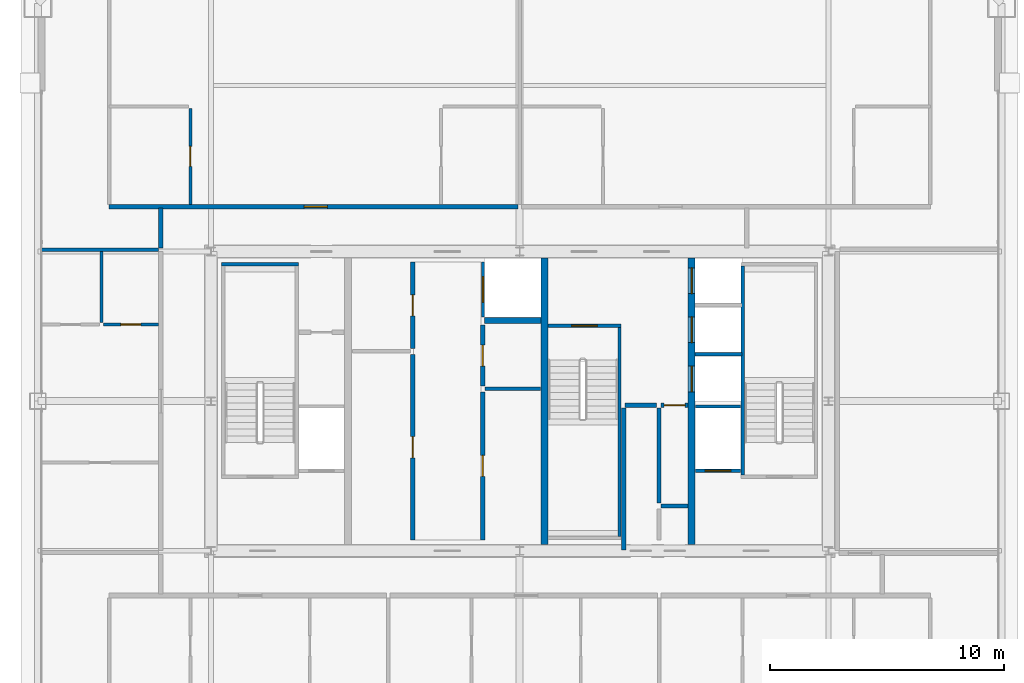
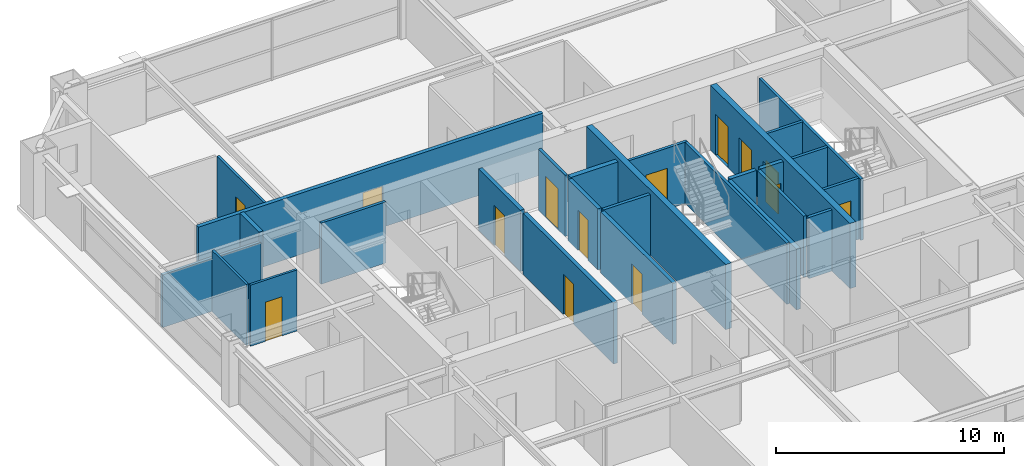
# One storey, part 34 of 37: 27 walls, 14 doors, 14 openings.
"""IFC4 building model written with IfcOpenShell, lengths in metres."""

from ifc_helpers import new_model, si_unit, direction, frame, frame_2d, origin, place, context, subcontext, project, spatial, rectangle, extrude, source, transform, mapped, material, layer, layer_set, type_object, element, fill, save


model = new_model("IFC4")

# Units and contexts
model_context = context("Model", 3, precision=1e-05, world=origin(), true_north=direction((0.0, 1.0)))
body_context = subcontext(model_context, "Body", "Model", "MODEL_VIEW")
ifc_project = project(units=[si_unit("LENGTHUNIT", "METRE"), si_unit("AREAUNIT", "SQUARE_METRE"), si_unit("VOLUMEUNIT", "CUBIC_METRE"), si_unit("PLANEANGLEUNIT", "RADIAN"), si_unit("MASSUNIT", "GRAM", prefix="KILO"), si_unit("THERMODYNAMICTEMPERATUREUNIT", "KELVIN"), si_unit("POWERUNIT", "WATT")], contexts=[model_context])

# Site, building, storey
site_placement = place(None, origin())
site = spatial("IfcSite", under=ifc_project, at=site_placement, CompositionType="ELEMENT")
building_placement = place(site_placement, origin())
building = spatial("IfcBuilding", under=site, at=building_placement, Name="Yuzanri Waterfront Tower", CompositionType="ELEMENT")
storey_placement = place(building_placement, frame((0.0, 0.0, 268.10009765625)))
storey = spatial("IfcBuildingStorey", under=building, at=storey_placement, Name="L71", CompositionType="ELEMENT", Elevation=268.10009765625)

# Wall, opening, door
ifc_material_1 = material(Name="Moisture-Resistant Gypsum Stud Wall", Category="gypsum")
ifc_layer_1 = layer(ifc_material_1, 0.1201171875)
ifc_layer_set_1 = layer_set([ifc_layer_1], Name="Moisture-Resistant Gypsum Stud Wall")
wall_type_1 = type_object("IfcWallType", Name="Bathroom and Kitchen Wet Partition 120", PredefinedType="PARTITIONING", material=ifc_layer_set_1)
wall_1_placement = place(storey_placement, frame((22.919921875, 34.2099609375, 0.0), z_axis=(0.0, 0.0, 1.0), x_axis=(0.0, 1.0, 0.0)))
wall_1 = element("IfcWall", 1, at=wall_1_placement, inside=storey, type_object=wall_type_1, Name="L71 Partition UW-L71-HN1-SUB-1-E", PredefinedType="PARTITIONING", context=body_context, shape_type="SweptSolid", body=[
    extrude(rectangle(XDim=4.110107421875, YDim=0.1201171875, at=frame_2d((2.05517578125, 0.0))), origin(), (0.0, 0.0, 1.0), 3.27978515625),
])
opening_1_placement = place(wall_1_placement, frame((1.6298828125, 0.0, 0.0)))
opening_1 = element("IfcOpeningElement", 2, at=opening_1_placement, cuts=wall_1, Name="Opening ID-0850", PredefinedType="OPENING", context=body_context, shape_type="SweptSolid", body=[
    extrude(rectangle(XDim=0.85009765625, YDim=2.10009765625, at=frame_2d((0.425048828125, 1.050048828125))), frame((0.0, 0.074951171875, 0.0), z_axis=(0.0, -1.0, 0.0), x_axis=(1.0, 0.0, 0.0)), (0.0, 0.0, 1.0), 0.14990234375),
])
ifc_material_2 = material(Name="Moisture-Resistant Lacquered Timber", Category="wood")
door_type_1 = type_object("IfcDoorType", Name="En-Suite Bathroom and Kitchen Swing Door 850x2100", OperationType="NOTDEFINED", PredefinedType="DOOR", material=ifc_material_2)
shared_shape_1 = source(origin(), body_context, "Body", "SweptSolid", [
    extrude(rectangle(XDim=0.85009765625, YDim=2.10009765625, at=frame_2d((0.425048828125, 1.050048828125))), frame((0.0, 0.02490234375, 0.0), z_axis=(0.0, -1.0, 0.0), x_axis=(1.0, 0.0, 0.0)), (0.0, 0.0, 1.0), 0.050048828125),
])
door_1_placement = place(opening_1_placement, origin())
door_1 = element("IfcDoor", 3, at=door_1_placement, inside=storey, type_object=door_type_1, Name="L71 Suite Interior Room Door", OperationType="SINGLE_SWING_LEFT", OverallHeight=2.10009765625, OverallWidth=0.85009765625, PredefinedType="DOOR", context=body_context, shape_type="MappedRepresentation", body=[
    mapped(shared_shape_1, transform((0.0, 0.0, 0.0), scale=1.0)),
])
fill(opening_1, door_1)

wall_2_placement = place(storey_placement, frame((19.195068359375, 29.080078125, 0.0), z_axis=(0.0, 0.0, 1.0), x_axis=(1.0, 0.0, 0.0)))
wall_2 = element("IfcWall", 4, at=wall_2_placement, inside=storey, type_object=wall_type_1, Name="L71 Partition UW-L71-HW1-SUB-2-S", PredefinedType="PARTITIONING", context=body_context, shape_type="SweptSolid", body=[
    extrude(rectangle(XDim=2.35498046875, YDim=0.1201171875, at=frame_2d((1.177490234375, 0.0))), origin(), (0.0, 0.0, 1.0), 3.27978515625),
])
opening_2_placement = place(wall_2_placement, frame((0.75244140625, 0.0, 0.0)))
opening_2 = element("IfcOpeningElement", 5, at=opening_2_placement, cuts=wall_2, Name="Opening ID-0850", PredefinedType="OPENING", context=body_context, shape_type="SweptSolid", body=[
    extrude(rectangle(XDim=0.85009765625, YDim=2.10009765625, at=frame_2d((0.425048828125, 1.050048828125))), frame((0.0, 0.074951171875, 0.0), z_axis=(0.0, -1.0, 0.0), x_axis=(1.0, 0.0, 0.0)), (0.0, 0.0, 1.0), 0.14990234375),
])
door_2_placement = place(opening_2_placement, origin())
door_2 = element("IfcDoor", 6, at=door_2_placement, inside=storey, type_object=door_type_1, Name="L71 Suite Interior Room Door", OperationType="SINGLE_SWING_RIGHT", OverallHeight=2.10009765625, OverallWidth=0.85009765625, PredefinedType="DOOR", context=body_context, shape_type="MappedRepresentation", body=[
    mapped(shared_shape_1, transform((0.0, 0.0, 0.0), scale=1.0)),
])
fill(opening_2, door_2)

# Wall, openings, doors
ifc_material_3 = material(Name="Concrete C50", Category="concrete")
ifc_layer_2 = layer(ifc_material_3, 0.300048828125)
ifc_layer_set_2 = layer_set([ifc_layer_2], Name="Concrete C50")
wall_type_2 = type_object("IfcWallType", Name="Concrete C50 Internal Core Shaft Structural Wall 300", PredefinedType="SOLIDWALL", material=ifc_layer_set_2)
wall_3_placement = place(storey_placement, frame((44.35009765625, 19.675048828125, 0.0), z_axis=(0.0, 0.0, 1.0), x_axis=(0.0, 1.0, 0.0)))
wall_3 = element("IfcWall", 7, at=wall_3_placement, inside=storey, type_object=wall_type_2, Name="L71 Core Internal Structural Web Wall 3", PredefinedType="SOLIDWALL", context=body_context, shape_type="SweptSolid", body=[
    extrude(rectangle(XDim=12.25, YDim=0.300048828125, at=frame_2d((6.125, 0.0))), origin(), (0.0, 0.0, 1.0), 3.5),
])
opening_3_placement = place(wall_3_placement, frame((6.52490234375, 0.0, 0.0)))
opening_3 = element("IfcOpeningElement", 8, at=opening_3_placement, cuts=wall_3, Name="Opening LD-PL-09", PredefinedType="OPENING", context=body_context, shape_type="SweptSolid", body=[
    extrude(rectangle(XDim=1.10009765625, YDim=2.199951171875, at=frame_2d((0.550048828125, 1.10009765625))), frame((0.0, 0.1650390625, 0.0), z_axis=(0.0, -1.0, 0.0), x_axis=(1.0, 0.0, 0.0)), (0.0, 0.0, 1.0), 0.329833984375),
])
opening_4_placement = place(wall_3_placement, frame((8.625, 0.0, 0.0)))
opening_4 = element("IfcOpeningElement", 9, at=opening_4_placement, cuts=wall_3, Name="Opening LD-PL-10", PredefinedType="OPENING", context=body_context, shape_type="SweptSolid", body=[
    extrude(rectangle(XDim=1.10009765625, YDim=2.199951171875, at=frame_2d((0.550048828125, 1.10009765625))), frame((0.0, 0.1650390625, 0.0), z_axis=(0.0, -1.0, 0.0), x_axis=(1.0, 0.0, 0.0)), (0.0, 0.0, 1.0), 0.329833984375),
])
opening_5_placement = place(wall_3_placement, frame((10.72509765625, 0.0, 0.0)))
opening_5 = element("IfcOpeningElement", 10, at=opening_5_placement, cuts=wall_3, Name="Opening LD-PL-11", PredefinedType="OPENING", context=body_context, shape_type="SweptSolid", body=[
    extrude(rectangle(XDim=1.10009765625, YDim=2.199951171875, at=frame_2d((0.550048828125, 1.10009765625))), frame((0.0, 0.1650390625, 0.0), z_axis=(0.0, -1.0, 0.0), x_axis=(1.0, 0.0, 0.0)), (0.0, 0.0, 1.0), 0.329833984375),
])
ifc_material_4 = material(Name="Brushed Bronze and Stainless Steel Cab", Category="steel")
door_type_2 = type_object("IfcDoorType", Name="Center-Parting Bronze Lift Landing Sliding Door 1100x2200", OperationType="NOTDEFINED", PredefinedType="DOOR", material=ifc_material_4)
shared_shape_2 = source(origin(), body_context, "Body", "SweptSolid", [
    extrude(rectangle(XDim=1.10009765625, YDim=2.199951171875, at=frame_2d((0.550048828125, 1.10009765625))), frame((0.0, 0.02490234375, 0.0), z_axis=(0.0, -1.0, 0.0), x_axis=(1.0, 0.0, 0.0)), (0.0, 0.0, 1.0), 0.050048828125),
])
door_3_placement = place(opening_3_placement, origin())
door_3 = element("IfcDoor", 11, at=door_3_placement, inside=storey, type_object=door_type_2, Name="L71 PL-09 Lift Landing Sliding Door", OperationType="SLIDING_TO_LEFT", OverallHeight=2.199951171875, OverallWidth=1.10009765625, PredefinedType="DOOR", context=body_context, shape_type="MappedRepresentation", body=[
    mapped(shared_shape_2, transform((0.0, 0.0, 0.0), scale=1.0)),
])
fill(opening_3, door_3)
door_4_placement = place(opening_4_placement, origin())
door_4 = element("IfcDoor", 12, at=door_4_placement, inside=storey, type_object=door_type_2, Name="L71 PL-10 Lift Landing Sliding Door", OperationType="SLIDING_TO_RIGHT", OverallHeight=2.199951171875, OverallWidth=1.10009765625, PredefinedType="DOOR", context=body_context, shape_type="MappedRepresentation", body=[
    mapped(shared_shape_2, transform((0.0, 0.0, 0.0), scale=1.0)),
])
fill(opening_4, door_4)
door_5_placement = place(opening_5_placement, origin())
door_5 = element("IfcDoor", 13, at=door_5_placement, inside=storey, type_object=door_type_2, Name="L71 PL-11 Lift Landing Sliding Door", OperationType="SLIDING_TO_LEFT", OverallHeight=2.199951171875, OverallWidth=1.10009765625, PredefinedType="DOOR", context=body_context, shape_type="MappedRepresentation", body=[
    mapped(shared_shape_2, transform((0.0, 0.0, 0.0), scale=1.0)),
])
fill(opening_5, door_5)

# Wall, opening, door
ifc_material_5 = material(Name="Concrete C40", Category="concrete")
ifc_layer_3 = layer(ifc_material_5, 0.139892578125)
ifc_layer_set_3 = layer_set([ifc_layer_3], Name="Concrete C40")
wall_type_3 = type_object("IfcWallType", Name="Core Stair Liner and Hoistway Shaft Wall 140", PredefinedType="SOLIDWALL", material=ifc_layer_set_3)
wall_4_placement = place(storey_placement, frame((44.52001953125, 22.830078125, 0.0), z_axis=(0.0, 0.0, 1.0), x_axis=(1.0, 0.0, 0.0)))
wall_4 = element("IfcWall", 14, at=wall_4_placement, inside=storey, type_object=wall_type_3, Name="L71 Lift FL-02 Front Shaft Wall", PredefinedType="SOLIDWALL", context=body_context, shape_type="SweptSolid", body=[
    extrude(rectangle(XDim=1.919921875, YDim=0.139892578125, at=frame_2d((0.9599609375, 0.0))), origin(), (0.0, 0.0, 1.0), 3.27978515625),
])
opening_6_placement = place(wall_4_placement, frame((0.409912109375, 0.0, 0.0)))
opening_6 = element("IfcOpeningElement", 15, at=opening_6_placement, cuts=wall_4, Name="Opening LD-FL-02", PredefinedType="OPENING", context=body_context, shape_type="SweptSolid", body=[
    extrude(rectangle(XDim=1.10009765625, YDim=2.199951171875, at=frame_2d((0.550048828125, 1.10009765625))), frame((0.0, 0.0849609375, 0.0), z_axis=(0.0, -1.0, 0.0), x_axis=(1.0, 0.0, 0.0)), (0.0, 0.0, 1.0), 0.169677734375),
])
door_6_placement = place(opening_6_placement, origin())
door_6 = element("IfcDoor", 16, at=door_6_placement, inside=storey, type_object=door_type_2, Name="L71 FL-02 Lift Landing Sliding Door", OperationType="SLIDING_TO_RIGHT", OverallHeight=2.199951171875, OverallWidth=1.10009765625, PredefinedType="DOOR", context=body_context, shape_type="MappedRepresentation", body=[
    mapped(shared_shape_2, transform((0.0, 0.0, 0.0), scale=1.0)),
])
fill(opening_6, door_6)

wall_5_placement = place(storey_placement, frame((35.429931640625, 29.39990234375, 0.0), z_axis=(0.0, 0.0, 1.0), x_axis=(0.0, 1.0, 0.0)))
wall_5 = element("IfcWall", 17, at=wall_5_placement, inside=storey, type_object=wall_type_3, Name="L71 Lift SL-02 Front Shaft Wall", PredefinedType="SOLIDWALL", context=body_context, shape_type="SweptSolid", body=[
    extrude(rectangle(XDim=2.340087890625, YDim=0.139892578125, at=frame_2d((1.169921875, 0.0))), origin(), (0.0, 0.0, 1.0), 3.27978515625),
])
opening_7_placement = place(wall_5_placement, frame((0.6201171875, 0.0, 0.0)))
opening_7 = element("IfcOpeningElement", 18, at=opening_7_placement, cuts=wall_5, Name="Opening LD-SL-02", PredefinedType="OPENING", context=body_context, shape_type="SweptSolid", body=[
    extrude(rectangle(XDim=1.10009765625, YDim=2.199951171875, at=frame_2d((0.550048828125, 1.10009765625))), frame((0.0, 0.0849609375, 0.0), z_axis=(0.0, -1.0, 0.0), x_axis=(1.0, 0.0, 0.0)), (0.0, 0.0, 1.0), 0.169677734375),
])
door_7_placement = place(opening_7_placement, origin())
door_7 = element("IfcDoor", 19, at=door_7_placement, inside=storey, type_object=door_type_2, Name="L71 SL-02 Lift Landing Sliding Door", OperationType="SLIDING_TO_RIGHT", OverallHeight=2.199951171875, OverallWidth=1.10009765625, PredefinedType="DOOR", context=body_context, shape_type="MappedRepresentation", body=[
    mapped(shared_shape_2, transform((0.0, 0.0, 0.0), scale=1.0)),
])
fill(opening_7, door_7)

wall_6_placement = place(storey_placement, frame((38.199951171875, 29.030029296875, 0.0), z_axis=(0.0, 0.0, 1.0), x_axis=(1.0, 0.0, 0.0)))
wall_6 = element("IfcWall", 20, at=wall_6_placement, inside=storey, type_object=wall_type_3, Name="L71 Shaft Wall STW-L71-ST-03-N", PredefinedType="SOLIDWALL", context=body_context, shape_type="SweptSolid", body=[
    extrude(rectangle(XDim=3.14013671875, YDim=0.139892578125, at=frame_2d((1.570068359375, 0.0))), origin(), (0.0, 0.0, 1.0), 3.27978515625),
])
opening_8_placement = place(wall_6_placement, frame((1.02001953125, 0.0, 0.0)))
opening_8 = element("IfcOpeningElement", 21, at=opening_8_placement, cuts=wall_6, Name="Opening FD-1100", PredefinedType="OPENING", context=body_context, shape_type="SweptSolid", body=[
    extrude(rectangle(XDim=1.10009765625, YDim=2.199951171875, at=frame_2d((0.550048828125, 1.10009765625))), frame((0.0, 0.0849609375, 0.0), z_axis=(0.0, -1.0, 0.0), x_axis=(1.0, 0.0, 0.0)), (0.0, 0.0, 1.0), 0.169677734375),
])
ifc_material_6 = material(Name="Painted Galvanized Fire Steel", Category="steel")
door_type_3 = type_object("IfcDoorType", Name="Smoke-Proof Stair and Lobby Fire Door 1100x2200", OperationType="NOTDEFINED", PredefinedType="DOOR", material=ifc_material_6)
shared_shape_3 = source(origin(), body_context, "Body", "SweptSolid", [
    extrude(rectangle(XDim=1.10009765625, YDim=2.199951171875, at=frame_2d((0.550048828125, 1.10009765625))), frame((0.0, 0.02490234375, 0.0), z_axis=(0.0, -1.0, 0.0), x_axis=(1.0, 0.0, 0.0)), (0.0, 0.0, 1.0), 0.050048828125),
])
door_8_placement = place(opening_8_placement, origin())
door_8 = element("IfcDoor", 22, at=door_8_placement, inside=storey, type_object=door_type_3, Name="L71 Stair ST-03 Fire Door", OperationType="SINGLE_SWING_LEFT", OverallHeight=2.199951171875, OverallWidth=1.10009765625, PredefinedType="DOOR", context=body_context, shape_type="MappedRepresentation", body=[
    mapped(shared_shape_3, transform((0.0, 0.0, 0.0), scale=1.0)),
])
fill(opening_8, door_8)

ifc_material_7 = material(Name="Autoclaved Aerated Concrete Blockwork", Category="masonry")
ifc_layer_4 = layer(ifc_material_7, 0.199951171875)
ifc_layer_set_4 = layer_set([ifc_layer_4], Name="Autoclaved Aerated Concrete Blockwork")
wall_type_4 = type_object("IfcWallType", Name="Corridor and Unit Party Fire Wall 200", PredefinedType="PARTITIONING", material=ifc_layer_set_4)
wall_7_placement = place(storey_placement, frame((32.419921875, 19.860107421875, 0.0), z_axis=(0.0, 0.0, 1.0), x_axis=(0.0, 1.0, 0.0)))
wall_7 = element("IfcWall", 23, at=wall_7_placement, inside=storey, type_object=wall_type_4, Name="L71 Partition CRW-L71-B1R-1", PredefinedType="PARTITIONING", context=body_context, shape_type="SweptSolid", body=[
    extrude(rectangle(XDim=7.93994140625, YDim=0.199951171875, at=frame_2d((3.969970703125, 0.0))), origin(), (0.0, 0.0, 1.0), 3.27978515625),
])
opening_9_placement = place(wall_7_placement, frame((3.52001953125, 0.0, 0.0)))
opening_9 = element("IfcOpeningElement", 24, at=opening_9_placement, cuts=wall_7, Name="Opening FD-0900", PredefinedType="OPENING", context=body_context, shape_type="SweptSolid", body=[
    extrude(rectangle(XDim=0.89990234375, YDim=2.14990234375, at=frame_2d((0.449951171875, 1.074951171875))), frame((0.0, 0.11474609375, 0.0), z_axis=(0.0, -1.0, 0.0), x_axis=(1.0, 0.0, 0.0)), (0.0, 0.0, 1.0), 0.229736328125),
])
ifc_material_8 = material(Name="Painted Galvanized Fire Steel", Category="steel")
door_type_4 = type_object("IfcDoorType", Name="Riser and Service Room Fire Door 900x2150", OperationType="NOTDEFINED", PredefinedType="DOOR", material=ifc_material_8)
shared_shape_4 = source(origin(), body_context, "Body", "SweptSolid", [
    extrude(rectangle(XDim=0.89990234375, YDim=2.14990234375, at=frame_2d((0.449951171875, 1.074951171875))), frame((0.0, 0.02490234375, 0.0), z_axis=(0.0, -1.0, 0.0), x_axis=(1.0, 0.0, 0.0)), (0.0, 0.0, 1.0), 0.050048828125),
])
door_9_placement = place(opening_9_placement, origin())
door_9 = element("IfcDoor", 25, at=door_9_placement, inside=storey, type_object=door_type_4, Name="L71 General Store Room", OperationType="SINGLE_SWING_RIGHT", OverallHeight=2.14990234375, OverallWidth=0.89990234375, PredefinedType="DOOR", context=body_context, shape_type="MappedRepresentation", body=[
    mapped(shared_shape_4, transform((0.0, 0.0, 0.0), scale=1.0)),
])
fill(opening_9, door_9)

wall_8_placement = place(storey_placement, frame((32.419921875, 28.050048828125, 0.0), z_axis=(0.0, 0.0, 1.0), x_axis=(0.0, 1.0, 0.0)))
wall_8 = element("IfcWall", 26, at=wall_8_placement, inside=storey, type_object=wall_type_4, Name="L71 Partition CRW-L71-B1R-2", PredefinedType="PARTITIONING", context=body_context, shape_type="SweptSolid", body=[
    extrude(rectangle(XDim=3.68994140625, YDim=0.199951171875, at=frame_2d((1.844970703125, 0.0))), origin(), (0.0, 0.0, 1.0), 3.27978515625),
])
opening_10_placement = place(wall_8_placement, frame((1.39501953125, 0.0, 0.0)))
opening_10 = element("IfcOpeningElement", 27, at=opening_10_placement, cuts=wall_8, Name="Opening FD-0900", PredefinedType="OPENING", context=body_context, shape_type="SweptSolid", body=[
    extrude(rectangle(XDim=0.89990234375, YDim=2.14990234375, at=frame_2d((0.449951171875, 1.074951171875))), frame((0.0, 0.11474609375, 0.0), z_axis=(0.0, -1.0, 0.0), x_axis=(1.0, 0.0, 0.0)), (0.0, 0.0, 1.0), 0.229736328125),
])
door_10_placement = place(opening_10_placement, origin())
door_10 = element("IfcDoor", 28, at=door_10_placement, inside=storey, type_object=door_type_4, Name="L71 Water Riser Shaft", OperationType="SINGLE_SWING_LEFT", OverallHeight=2.14990234375, OverallWidth=0.89990234375, PredefinedType="DOOR", context=body_context, shape_type="MappedRepresentation", body=[
    mapped(shared_shape_4, transform((0.0, 0.0, 0.0), scale=1.0)),
])
fill(opening_10, door_10)

wall_9_placement = place(storey_placement, frame((35.419921875, 19.860107421875, 0.0), z_axis=(0.0, 0.0, 1.0), x_axis=(0.0, 1.0, 0.0)))
wall_9 = element("IfcWall", 29, at=wall_9_placement, inside=storey, type_object=wall_type_4, Name="L71 Partition CRW-L71-B2R-1", PredefinedType="PARTITIONING", context=body_context, shape_type="SweptSolid", body=[
    extrude(rectangle(XDim=6.33984375, YDim=0.199951171875, at=frame_2d((3.169921875, 0.0))), origin(), (0.0, 0.0, 1.0), 3.27978515625),
])
opening_11_placement = place(wall_9_placement, frame((2.719970703125, 0.0, 0.0)))
opening_11 = element("IfcOpeningElement", 30, at=opening_11_placement, cuts=wall_9, Name="Opening FD-0900", PredefinedType="OPENING", context=body_context, shape_type="SweptSolid", body=[
    extrude(rectangle(XDim=0.89990234375, YDim=2.14990234375, at=frame_2d((0.449951171875, 1.074951171875))), frame((0.0, 0.11474609375, 0.0), z_axis=(0.0, -1.0, 0.0), x_axis=(1.0, 0.0, 0.0)), (0.0, 0.0, 1.0), 0.229736328125),
])
door_11_placement = place(opening_11_placement, origin())
door_11 = element("IfcDoor", 31, at=door_11_placement, inside=storey, type_object=door_type_4, Name="L71 Upper Service Store Room", OperationType="SINGLE_SWING_RIGHT", OverallHeight=2.14990234375, OverallWidth=0.89990234375, PredefinedType="DOOR", context=body_context, shape_type="MappedRepresentation", body=[
    mapped(shared_shape_4, transform((0.0, 0.0, 0.0), scale=1.0)),
])
fill(opening_11, door_11)

wall_10_placement = place(storey_placement, frame((35.419921875, 26.449951171875, 0.0), z_axis=(0.0, 0.0, 1.0), x_axis=(0.0, 1.0, 0.0)))
wall_10 = element("IfcWall", 32, at=wall_10_placement, inside=storey, type_object=wall_type_4, Name="L71 Partition CRW-L71-B2R-2", PredefinedType="PARTITIONING", context=body_context, shape_type="SweptSolid", body=[
    extrude(rectangle(XDim=2.60009765625, YDim=0.199951171875, at=frame_2d((1.300048828125, 0.0))), origin(), (0.0, 0.0, 1.0), 3.27978515625),
])
opening_12_placement = place(wall_10_placement, frame((0.85009765625, 0.0, 0.0)))
opening_12 = element("IfcOpeningElement", 33, at=opening_12_placement, cuts=wall_10, Name="Opening FD-0900", PredefinedType="OPENING", context=body_context, shape_type="SweptSolid", body=[
    extrude(rectangle(XDim=0.89990234375, YDim=2.14990234375, at=frame_2d((0.449951171875, 1.074951171875))), frame((0.0, 0.11474609375, 0.0), z_axis=(0.0, -1.0, 0.0), x_axis=(1.0, 0.0, 0.0)), (0.0, 0.0, 1.0), 0.229736328125),
])
door_12_placement = place(opening_12_placement, origin())
door_12 = element("IfcDoor", 34, at=door_12_placement, inside=storey, type_object=door_type_4, Name="L71 Meter and Valve Store Room", OperationType="SINGLE_SWING_LEFT", OverallHeight=2.14990234375, OverallWidth=0.89990234375, PredefinedType="DOOR", context=body_context, shape_type="MappedRepresentation", body=[
    mapped(shared_shape_4, transform((0.0, 0.0, 0.0), scale=1.0)),
])
fill(opening_12, door_12)

wall_11_placement = place(storey_placement, frame((43.050048828125, 25.6201171875, 0.0), z_axis=(0.0, 0.0, 1.0), x_axis=(1.0, 0.0, 0.0)))
wall_11 = element("IfcWall", 35, at=wall_11_placement, inside=storey, type_object=wall_type_4, Name="L71 Partition CRW-L71-BOHH-2", PredefinedType="PARTITIONING", context=body_context, shape_type="SweptSolid", body=[
    extrude(rectangle(XDim=1.14990234375, YDim=0.199951171875, at=frame_2d((0.574951171875, 0.0))), origin(), (0.0, 0.0, 1.0), 3.27978515625),
])
opening_13_placement = place(wall_11_placement, frame((0.1201171875, 0.0, 0.0)))
opening_13 = element("IfcOpeningElement", 36, at=opening_13_placement, cuts=wall_11, Name="Opening FD-0900", PredefinedType="OPENING", context=body_context, shape_type="SweptSolid", body=[
    extrude(rectangle(XDim=0.89990234375, YDim=2.14990234375, at=frame_2d((0.449951171875, 1.074951171875))), frame((0.0, 0.11474609375, 0.0), z_axis=(0.0, -1.0, 0.0), x_axis=(1.0, 0.0, 0.0)), (0.0, 0.0, 1.0), 0.229736328125),
])
door_13_placement = place(opening_13_placement, origin())
door_13 = element("IfcDoor", 37, at=door_13_placement, inside=storey, type_object=door_type_4, Name="L71 Linen Store Room", OperationType="SINGLE_SWING_RIGHT", OverallHeight=2.14990234375, OverallWidth=0.89990234375, PredefinedType="DOOR", context=body_context, shape_type="MappedRepresentation", body=[
    mapped(shared_shape_4, transform((0.0, 0.0, 0.0), scale=1.0)),
])
fill(opening_13, door_13)

wall_12_placement = place(storey_placement, frame((19.43994140625, 34.110107421875, 0.0), z_axis=(0.0, 0.0, 1.0), x_axis=(1.0, 0.0, 0.0)))
wall_12 = element("IfcWall", 38, at=wall_12_placement, inside=storey, type_object=wall_type_4, Name="L71 Partition UW-L71-HN1-CS", PredefinedType="PARTITIONING", context=body_context, shape_type="SweptSolid", body=[
    extrude(rectangle(XDim=17.47998046875, YDim=0.199951171875, at=frame_2d((8.739990234375, 0.0))), origin(), (0.0, 0.0, 1.0), 3.27978515625),
])
opening_14_placement = place(wall_12_placement, frame((8.340087890625, 0.0, 0.0)))
opening_14 = element("IfcOpeningElement", 39, at=opening_14_placement, cuts=wall_12, Name="Opening FD-1000", PredefinedType="OPENING", context=body_context, shape_type="SweptSolid", body=[
    extrude(rectangle(XDim=1.0, YDim=2.199951171875, at=frame_2d((0.5, 1.10009765625))), frame((0.0, 0.11474609375, 0.0), z_axis=(0.0, -1.0, 0.0), x_axis=(1.0, 0.0, 0.0)), (0.0, 0.0, 1.0), 0.229736328125),
])
ifc_material_9 = material(Name="Engineered Oak Fire-Rated Timber", Category="wood")
door_type_5 = type_object("IfcDoorType", Name="Guestroom and Apartment Entrance Fire Door 1000x2200", OperationType="NOTDEFINED", PredefinedType="DOOR", material=ifc_material_9)
shared_shape_5 = source(origin(), body_context, "Body", "SweptSolid", [
    extrude(rectangle(XDim=1.0, YDim=2.199951171875, at=frame_2d((0.5, 1.10009765625))), frame((0.0, 0.02490234375, 0.0), z_axis=(0.0, -1.0, 0.0), x_axis=(1.0, 0.0, 0.0)), (0.0, 0.0, 1.0), 0.050048828125),
])
door_14_placement = place(opening_14_placement, origin())
door_14 = element("IfcDoor", 40, at=door_14_placement, inside=storey, type_object=door_type_5, Name="L71 Studio Living and Sleeping Room Entrance Door", OperationType="SINGLE_SWING_RIGHT", OverallHeight=2.199951171875, OverallWidth=1.0, PredefinedType="DOOR", context=body_context, shape_type="MappedRepresentation", body=[
    mapped(shared_shape_5, transform((0.0, 0.0, 0.0), scale=1.0)),
])
fill(opening_14, door_14)

# Walls
shared_shape_6 = source(origin(), body_context, "Body", "SweptSolid", [
    extrude(rectangle(XDim=12.25, YDim=0.300048828125, at=frame_2d((6.125, 0.0))), origin(), (0.0, 0.0, 1.0), 3.5),
])
wall_13_placement = place(storey_placement, frame((38.050048828125, 19.675048828125, 0.0), z_axis=(0.0, 0.0, 1.0), x_axis=(0.0, 1.0, 0.0)))
element("IfcWall", 41, at=wall_13_placement, inside=storey, type_object=wall_type_2, Name="L71 Core Internal Structural Web Wall 2", PredefinedType="SOLIDWALL", context=body_context, shape_type="MappedRepresentation", body=[
    mapped(shared_shape_6, transform((0.0, 0.0, 0.0), scale=1.0)),
])
shared_shape_7 = source(origin(), body_context, "Body", "SweptSolid", [
    extrude(rectangle(XDim=1.919921875, YDim=0.139892578125, at=frame_2d((0.9599609375, 0.0))), origin(), (0.0, 0.0, 1.0), 3.27978515625),
])
wall_14_placement = place(storey_placement, frame((44.52001953125, 25.570068359375, 0.0), z_axis=(0.0, 0.0, 1.0), x_axis=(1.0, 0.0, 0.0)))
element("IfcWall", 42, at=wall_14_placement, inside=storey, type_object=wall_type_3, Name="L71 Lift FL-02 Back Shaft Wall", PredefinedType="SOLIDWALL", context=body_context, shape_type="MappedRepresentation", body=[
    mapped(shared_shape_7, transform((0.0, 0.0, 0.0), scale=1.0)),
])
ifc_material_10 = material(Name="Concrete C40", Category="concrete")
ifc_layer_5 = layer(ifc_material_10, 0.25)
ifc_layer_set_5 = layer_set([ifc_layer_5], Name="Concrete C40")
wall_type_5 = type_object("IfcWallType", Name="Smoke-Proof Stair and Lift Shaft Wall 250", PredefinedType="SOLIDWALL", material=ifc_layer_set_5)
shared_shape_8 = source(origin(), body_context, "Body", "SweptSolid", [
    extrude(rectangle(XDim=2.39990234375, YDim=0.25, at=frame_2d((1.199951171875, 0.0))), origin(), (0.0, 0.0, 1.0), 3.27978515625),
])
wall_15_placement = place(storey_placement, frame((35.5, 29.25, 0.0), z_axis=(0.0, 0.0, 1.0), x_axis=(1.0, 0.0, 0.0)))
element("IfcWall", 43, at=wall_15_placement, inside=storey, type_object=wall_type_5, Name="L71 Lift SL-02 South Shaft Wall", PredefinedType="SOLIDWALL", context=body_context, shape_type="MappedRepresentation", body=[
    mapped(shared_shape_8, transform((0.0, 0.0, 0.0), scale=1.0)),
])
shared_shape_9 = source(origin(), body_context, "Body", "SweptSolid", [
    extrude(rectangle(XDim=2.0, YDim=0.139892578125, at=frame_2d((1.0, 0.0))), origin(), (0.0, 0.0, 1.0), 3.27978515625),
])
wall_16_placement = place(storey_placement, frame((44.5, 27.800048828125, 0.0), z_axis=(0.0, 0.0, 1.0), x_axis=(1.0, 0.0, 0.0)))
element("IfcWall", 44, at=wall_16_placement, inside=storey, type_object=wall_type_3, Name="L71 Lift PL-09 Divider Wall", PredefinedType="SOLIDWALL", context=body_context, shape_type="MappedRepresentation", body=[
    mapped(shared_shape_9, transform((0.0, 0.0, 0.0), scale=1.0)),
])
shared_shape_10 = source(origin(), body_context, "Body", "SweptSolid", [
    extrude(rectangle(XDim=3.280029296875, YDim=0.139892578125, at=frame_2d((1.64013671875, 0.0))), origin(), (0.0, 0.0, 1.0), 3.27978515625),
])
wall_17_placement = place(storey_placement, frame((24.260009765625, 31.64990234375, 0.0), z_axis=(0.0, 0.0, 1.0), x_axis=(1.0, 0.0, 0.0)))
element("IfcWall", 45, at=wall_17_placement, inside=storey, type_object=wall_type_3, Name="L71 Stair ST-01 North Shaft Wall", PredefinedType="SOLIDWALL", context=body_context, shape_type="MappedRepresentation", body=[
    mapped(shared_shape_10, transform((0.0, 0.0, 0.0), scale=1.0)),
])
shared_shape_11 = source(origin(), body_context, "Body", "SweptSolid", [
    extrude(rectangle(XDim=8.940185546875, YDim=0.139892578125, at=frame_2d((4.47021484375, 0.0))), origin(), (0.0, 0.0, 1.0), 3.27978515625),
])
wall_18_placement = place(storey_placement, frame((46.530029296875, 22.639892578125, 0.0), z_axis=(0.0, 0.0, 1.0), x_axis=(0.0, 1.0, 0.0)))
element("IfcWall", 46, at=wall_18_placement, inside=storey, type_object=wall_type_3, Name="L71 Stair ST-02 West Shaft Wall", PredefinedType="SOLIDWALL", context=body_context, shape_type="MappedRepresentation", body=[
    mapped(shared_shape_11, transform((0.0, 0.0, 0.0), scale=1.0)),
])
shared_shape_12 = source(origin(), body_context, "Body", "SweptSolid", [
    extrude(rectangle(XDim=8.93994140625, YDim=0.139892578125, at=frame_2d((4.469970703125, 0.0))), origin(), (0.0, 0.0, 1.0), 3.27978515625),
])
wall_19_placement = place(storey_placement, frame((41.27001953125, 20.02001953125, 0.0), z_axis=(0.0, 0.0, 1.0), x_axis=(0.0, 1.0, 0.0)))
element("IfcWall", 47, at=wall_19_placement, inside=storey, type_object=wall_type_3, Name="L71 Stair ST-03 East Shaft Wall", PredefinedType="SOLIDWALL", context=body_context, shape_type="MappedRepresentation", body=[
    mapped(shared_shape_12, transform((0.0, 0.0, 0.0), scale=1.0)),
])
ifc_material_11 = material(Name="Gypsum Fireboard Acoustic Stud Wall", Category="gypsum")
ifc_layer_6 = layer(ifc_material_11, 0.159912109375)
ifc_layer_set_6 = layer_set([ifc_layer_6], Name="Gypsum Fireboard Acoustic Stud Wall")
wall_type_6 = type_object("IfcWallType", Name="Acoustic Suite Demising Partition 160", PredefinedType="PARTITIONING", material=ifc_layer_set_6)
shared_shape_13 = source(origin(), body_context, "Body", "SweptSolid", [
    extrude(rectangle(XDim=1.169921875, YDim=0.159912109375, at=frame_2d((0.5849609375, 0.0))), origin(), (0.0, 0.0, 1.0), 3.27978515625),
])
wall_20_placement = place(storey_placement, frame((43.030029296875, 21.320068359375, 0.0), z_axis=(0.0, 0.0, 1.0), x_axis=(1.0, 0.0, 0.0)))
element("IfcWall", 48, at=wall_20_placement, inside=storey, type_object=wall_type_6, Name="L71 East Wet Riser North Wall", PredefinedType="PARTITIONING", context=body_context, shape_type="MappedRepresentation", body=[
    mapped(shared_shape_13, transform((0.0, 0.0, 0.0), scale=1.0)),
])
shared_shape_14 = source(origin(), body_context, "Body", "SweptSolid", [
    extrude(rectangle(XDim=2.35986328125, YDim=0.159912109375, at=frame_2d((1.179931640625, 0.0))), origin(), (0.0, 0.0, 1.0), 3.27978515625),
])
wall_21_placement = place(storey_placement, frame((35.52001953125, 26.330078125, 0.0), z_axis=(0.0, 0.0, 1.0), x_axis=(1.0, 0.0, 0.0)))
element("IfcWall", 49, at=wall_21_placement, inside=storey, type_object=wall_type_6, Name="L71 Reclaimed High-Zone Divider 2", PredefinedType="PARTITIONING", context=body_context, shape_type="MappedRepresentation", body=[
    mapped(shared_shape_14, transform((0.0, 0.0, 0.0), scale=1.0)),
])
shared_shape_15 = source(origin(), body_context, "Body", "SweptSolid", [
    extrude(rectangle(XDim=6.06005859375, YDim=0.199951171875, at=frame_2d((3.030029296875, 0.0))), origin(), (0.0, 0.0, 1.0), 3.27978515625),
])
wall_22_placement = place(storey_placement, frame((41.449951171875, 19.43994140625, 0.0), z_axis=(0.0, 0.0, 1.0), x_axis=(0.0, 1.0, 0.0)))
element("IfcWall", 50, at=wall_22_placement, inside=storey, type_object=wall_type_4, Name="L71 Core BOH West Wall 1", PredefinedType="PARTITIONING", context=body_context, shape_type="MappedRepresentation", body=[
    mapped(shared_shape_15, transform((0.0, 0.0, 0.0), scale=1.0)),
])
shared_shape_16 = source(origin(), body_context, "Body", "SweptSolid", [
    extrude(rectangle(XDim=1.35009765625, YDim=0.199951171875, at=frame_2d((0.675048828125, 0.0))), origin(), (0.0, 0.0, 1.0), 3.27978515625),
])
wall_23_placement = place(storey_placement, frame((41.5, 25.6201171875, 0.0), z_axis=(0.0, 0.0, 1.0), x_axis=(1.0, 0.0, 0.0)))
element("IfcWall", 51, at=wall_23_placement, inside=storey, type_object=wall_type_4, Name="L71 Core BOH Split Wall 1", PredefinedType="PARTITIONING", context=body_context, shape_type="MappedRepresentation", body=[
    mapped(shared_shape_16, transform((0.0, 0.0, 0.0), scale=1.0)),
])
shared_shape_17 = source(origin(), body_context, "Body", "SweptSolid", [
    extrude(rectangle(XDim=4.06005859375, YDim=0.159912109375, at=frame_2d((2.030029296875, 0.0))), origin(), (0.0, 0.0, 1.0), 3.27978515625),
])
wall_24_placement = place(storey_placement, frame((42.949951171875, 21.43994140625, 0.0), z_axis=(0.0, 0.0, 1.0), x_axis=(0.0, 1.0, 0.0)))
element("IfcWall", 52, at=wall_24_placement, inside=storey, type_object=wall_type_6, Name="L71 Core BOH Mid Wall 2", PredefinedType="PARTITIONING", context=body_context, shape_type="MappedRepresentation", body=[
    mapped(shared_shape_17, transform((0.0, 0.0, 0.0), scale=1.0)),
])
shared_shape_18 = source(origin(), body_context, "Body", "SweptSolid", [
    extrude(rectangle(XDim=1.699951171875, YDim=0.199951171875, at=frame_2d((0.85009765625, 0.0))), origin(), (0.0, 0.0, 1.0), 3.27978515625),
])
wall_25_placement = place(storey_placement, frame((21.64990234375, 32.35009765625, 0.0), z_axis=(0.0, 0.0, 1.0), x_axis=(0.0, 1.0, 0.0)))
element("IfcWall", 53, at=wall_25_placement, inside=storey, type_object=wall_type_4, Name="L71 North Foyer West End Wall", PredefinedType="PARTITIONING", context=body_context, shape_type="MappedRepresentation", body=[
    mapped(shared_shape_18, transform((0.0, 0.0, 0.0), scale=1.0)),
])
shared_shape_19 = source(origin(), body_context, "Body", "SweptSolid", [
    extrude(rectangle(XDim=5.0, YDim=0.159912109375, at=frame_2d((2.5, 0.0))), origin(), (0.0, 0.0, 1.0), 2.824951171875),
])
wall_26_placement = place(storey_placement, frame((16.550048828125, 32.27001953125, 0.0), z_axis=(0.0, 0.0, 1.0), x_axis=(1.0, 0.0, 0.0)))
element("IfcWall", 54, at=wall_26_placement, inside=storey, type_object=wall_type_6, Name="L71-HW1 Wing North End Wall", PredefinedType="PARTITIONING", context=body_context, shape_type="MappedRepresentation", body=[
    mapped(shared_shape_19, transform((0.0, 0.0, 0.0), scale=1.0)),
])
shared_shape_20 = source(origin(), body_context, "Body", "SweptSolid", [
    extrude(rectangle(XDim=3.030029296875, YDim=0.1201171875, at=frame_2d((1.51513671875, 0.0))), origin(), (0.0, 0.0, 1.0), 3.27978515625),
])
wall_27_placement = place(storey_placement, frame((19.114990234375, 29.159912109375, 0.0), z_axis=(0.0, 0.0, 1.0), x_axis=(0.0, 1.0, 0.0)))
element("IfcWall", 55, at=wall_27_placement, inside=storey, type_object=wall_type_1, Name="L71 Partition UW-L71-HW1-SUB-1-E", PredefinedType="PARTITIONING", context=body_context, shape_type="MappedRepresentation", body=[
    mapped(shared_shape_20, transform((0.0, 0.0, 0.0), scale=1.0)),
])

save(model, "model.ifc")
